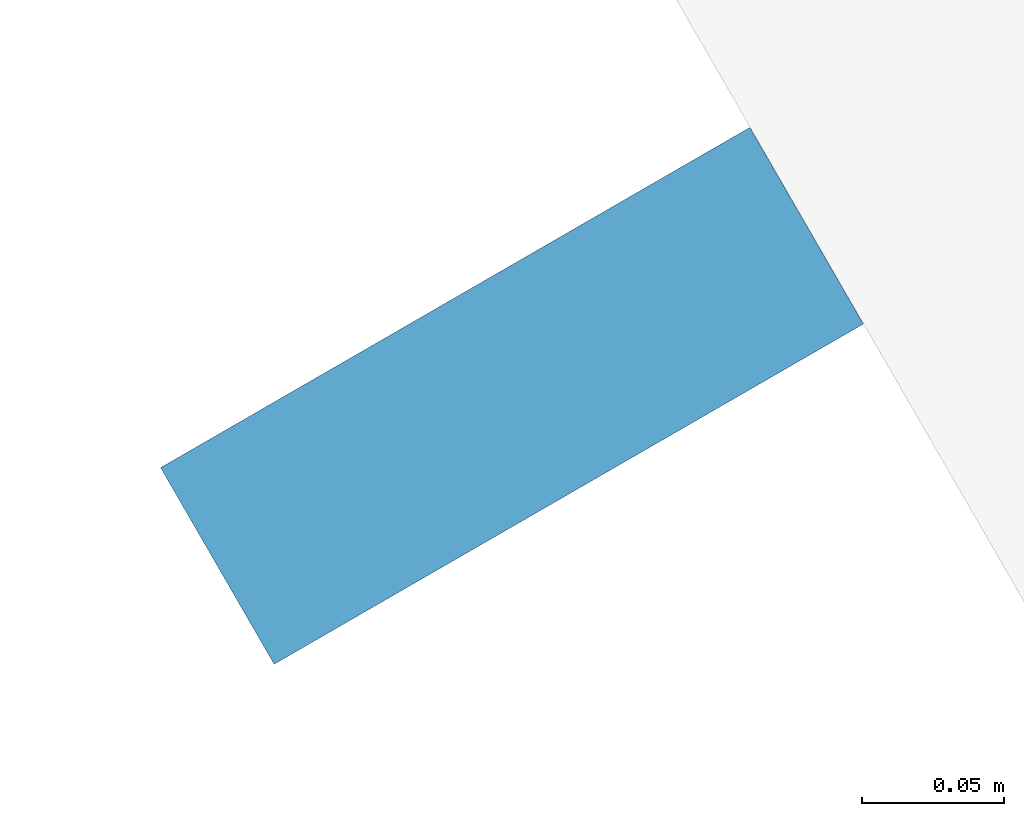
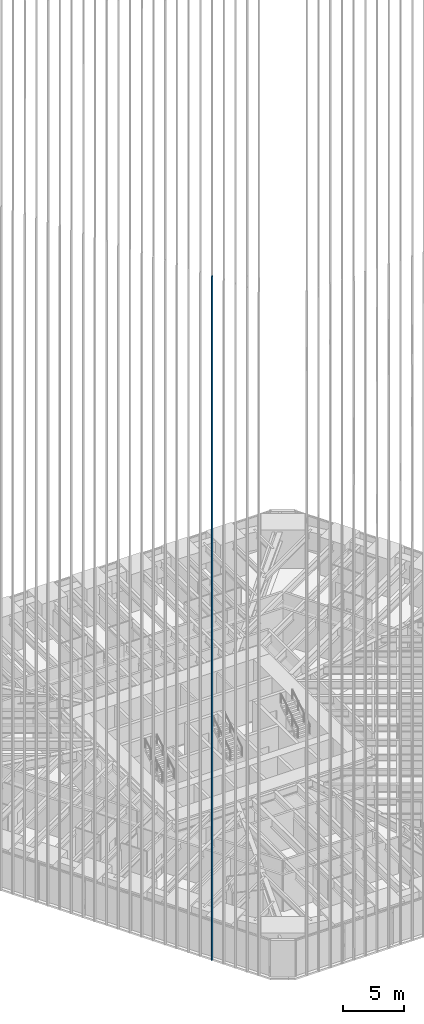
# One storey, part 25 of 256: 1 member, 1 element without a shape of its own.
"""IFC4 building model written with IfcOpenShell, lengths in metres."""

from ifc_helpers import new_model, si_unit, direction, frame, origin, origin_2d, place, context, subcontext, project, spatial, rectangle, extrude, material, material_profile, profile_set, type_object, element, aggregate, save


model = new_model("IFC4")

# Units and contexts
model_context = context("Model", 3, precision=1e-05, world=origin(), true_north=direction((0.0, 1.0)))
body_context = subcontext(model_context, "Body", "Model", "MODEL_VIEW")
ifc_project = project(units=[si_unit("LENGTHUNIT", "METRE"), si_unit("AREAUNIT", "SQUARE_METRE"), si_unit("VOLUMEUNIT", "CUBIC_METRE"), si_unit("PLANEANGLEUNIT", "RADIAN"), si_unit("MASSUNIT", "GRAM", prefix="KILO")], contexts=[model_context])

# Site, building, storey
site_placement = place(None, origin())
site = spatial("IfcSite", under=ifc_project, at=site_placement, CompositionType="ELEMENT")
building_placement = place(site_placement, origin())
building = spatial("IfcBuilding", under=site, at=building_placement, Name="Sandreach Pilgrim Tower", CompositionType="ELEMENT")
storey_placement = place(building_placement, frame((0.0, 0.0, 23.0)))
storey = spatial("IfcBuildingStorey", under=building, at=storey_placement, Name="L04", CompositionType="ELEMENT", Elevation=23.0)

# Curtain wall, member
ifc_material_1 = material(Name="Aluminium framed curtain wall", Category="aluminium")
curtain_wall_type = type_object("IfcCurtainWallType", Name="Hostel tower curtain wall", PredefinedType="NOTDEFINED", material=ifc_material_1)
curtain_wall_placement = place(storey_placement, origin())
curtain_wall = element("IfcCurtainWall", 1, at=curtain_wall_placement, inside=storey, type_object=curtain_wall_type, Name="CW-1 L04 SW", PredefinedType="NOTDEFINED")
ifc_material_2 = material(Name="Extruded terracotta on aluminium core", Category="masonry")
ifc_material_profile = material_profile(ifc_material_2, rectangle(XDim=0.080078125, YDim=0.239990234375, at=origin_2d()), Name="TBW 80X240")
ifc_profile_set = profile_set([ifc_material_profile], Name="Extruded terracotta on aluminium core")
member_type = type_object("IfcMemberType", Name="Terracotta baguette west", PredefinedType="USERDEFINED", material=ifc_profile_set)
member_placement = place(storey_placement, frame((-13.91259765625, -24.64013671875, 0.0), z_axis=(0.0, 0.0, 1.0), x_axis=(-0.5, 0.866025403784, 0.0)))
member = element("IfcMember", 2, at=member_placement, type_object=member_type, Name="Baguette Z1 SW05", ObjectType="BAGUETTE", PredefinedType="USERDEFINED", context=body_context, shape_type="SweptSolid", body=[
    extrude(rectangle(XDim=0.080078125, YDim=0.239990234375, at=origin_2d()), origin(), (0.0, 0.0, 1.0), 68.239990234375),
])
aggregate(curtain_wall, [member])

save(model, "model.ifc")
